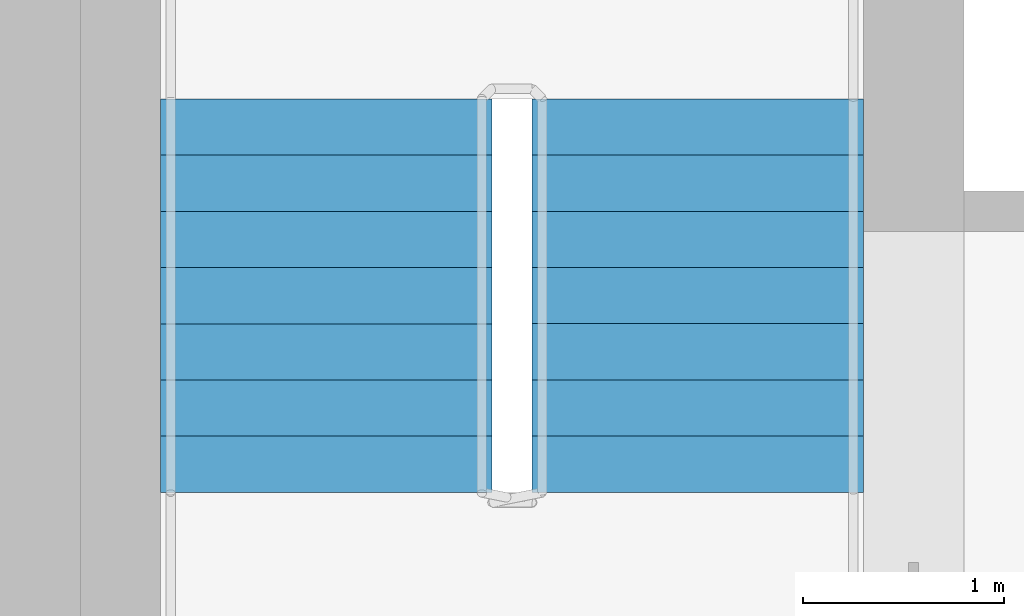
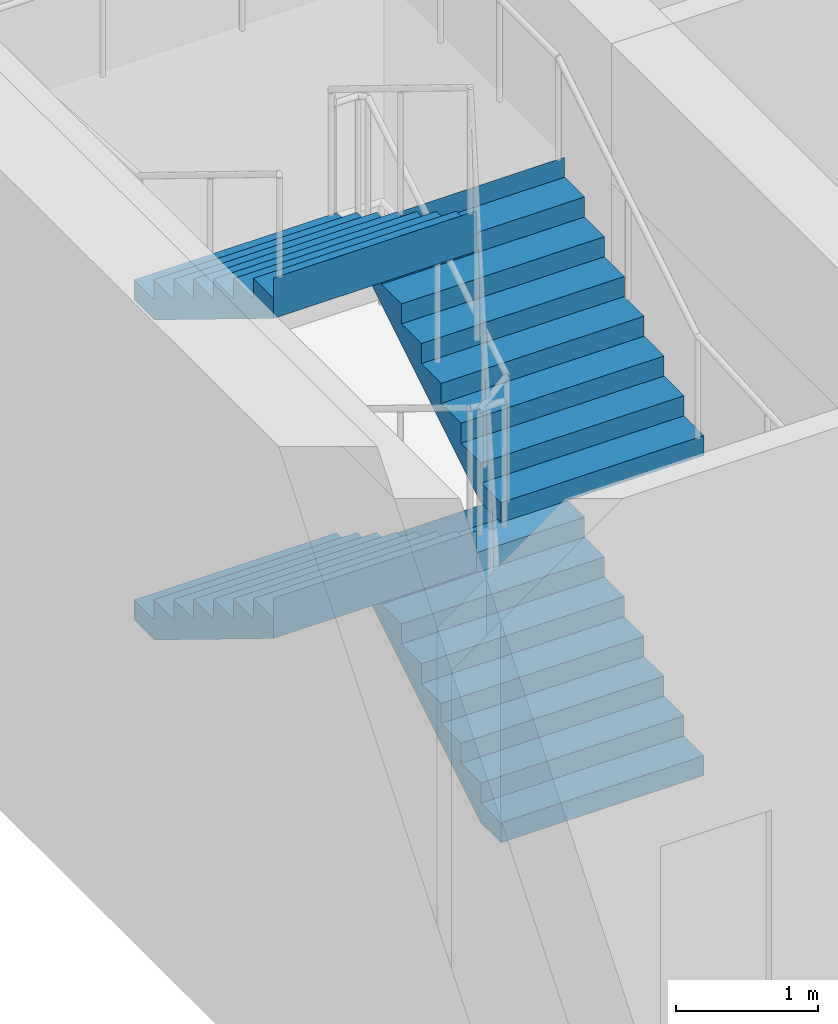
# One storey, part 13 of 15: 4 stair flights, 1 element without a shape of its own.
"""IFC4 building model written with IfcOpenShell, lengths in metres."""

from ifc_helpers import new_model, si_unit, direction, frame, origin, place, context, subcontext, project, spatial, polyline, outline, extrude, material, type_object, element, aggregate, save


model = new_model("IFC4")

# Units and contexts
model_context = context("Model", 3, precision=1e-05, world=origin(), true_north=direction((0.0, 1.0)))
body_context = subcontext(model_context, "Body", "Model", "MODEL_VIEW")
ifc_project = project(units=[si_unit("LENGTHUNIT", "METRE"), si_unit("AREAUNIT", "SQUARE_METRE"), si_unit("VOLUMEUNIT", "CUBIC_METRE"), si_unit("PLANEANGLEUNIT", "RADIAN"), si_unit("MASSUNIT", "GRAM", prefix="KILO")], contexts=[model_context])

# Site, building, storey
site_placement = place(None, origin())
site = spatial("IfcSite", under=ifc_project, at=site_placement, CompositionType="ELEMENT")
building_placement = place(site_placement, origin())
building = spatial("IfcBuilding", under=site, at=building_placement, Name="Tamorin Gate", CompositionType="ELEMENT")
storey_placement = place(building_placement, frame((0.0, 0.0, 292.199951171875)))
storey = spatial("IfcBuildingStorey", under=building, at=storey_placement, Name="L73", CompositionType="ELEMENT", Elevation=292.199951171875)

# Stair, stair flights
ifc_material = material(Name="Concrete C40/50", Category="concrete")
stair_type = type_object("IfcStairType", Name="Exit stair", PredefinedType="HALF_TURN_STAIR", material=ifc_material)
stair_placement = place(storey_placement, origin())
stair = element("IfcStair", 1, at=stair_placement, inside=storey, type_object=stair_type, Name="L73 stair ST2", PredefinedType="HALF_TURN_STAIR")
stair_flight_type = type_object("IfcStairFlightType", Name="Exit stair flight", PredefinedType="STRAIGHT", material=ifc_material)
stair_flight_1_placement = place(storey_placement, frame((33.675048828125, 77.0, 0.0), z_axis=(0.0, 0.0, 1.0), x_axis=(0.0, 1.0, 0.0)))
stair_flight_1 = element("IfcStairFlight", 2, at=stair_flight_1_placement, type_object=stair_flight_type, Name="ST2 flight 1", NumberOfRisers=8, NumberOfTreads=7, PredefinedType="STRAIGHT", RiserHeight=0.171875, TreadLength=0.28, context=body_context, shape_type="SweptSolid", body=[
    extrude(outline(polyline([(-0.00048828125, 0.0), (-0.00048828125, 0.001708984375), (-0.00048828125, 0.00341796875), (-0.00048828125, 0.005126953125), (-0.00048828125, 0.0068359375), (-0.00048828125, 0.008544921875), (-0.00048828125, 0.01025390625), (-0.00048828125, 0.011962890625), (-0.00048828125, 0.013671875), (-0.00048828125, 0.015380859375), (-0.00048828125, 0.01708984375), (-0.00048828125, 0.018798828125), (-0.00048828125, 0.0205078125), (-0.00048828125, 0.022216796875), (-0.00048828125, 0.02392578125), (-0.00048828125, 0.025634765625), (-0.00048828125, 0.02734375), (-0.00048828125, 0.02880859375), (-0.00048828125, 0.030517578125), (-0.00048828125, 0.0322265625), (-0.00048828125, 0.033935546875), (-0.00048828125, 0.03564453125), (-0.00048828125, 0.037353515625), (-0.00048828125, 0.0390625), (-0.00048828125, 0.040771484375), (-0.00048828125, 0.04248046875), (-0.00048828125, 0.044189453125), (-0.00048828125, 0.0458984375), (-0.00048828125, 0.047607421875), (-0.00048828125, 0.04931640625), (-0.00048828125, 0.051025390625), (-0.00048828125, 0.052734375), (-0.00048828125, 0.054443359375), (-0.00048828125, 0.05615234375), (-0.00048828125, 0.057861328125), (-0.00048828125, 0.0595703125), (-0.00048828125, 0.061279296875), (-0.00048828125, 0.06298828125), (-0.00048828125, 0.064697265625), (-0.00048828125, 0.06640625), (-0.00048828125, 0.068115234375), (-0.00048828125, 0.06982421875), (-0.00048828125, 0.071533203125), (-0.00048828125, 0.0732421875), (-0.00048828125, 0.074951171875), (-0.00048828125, 0.07666015625), (-0.00048828125, 0.078369140625), (-0.00048828125, 0.080078125), (-0.00048828125, 0.081787109375), (-0.00048828125, 0.08349609375), (-0.00048828125, 0.085205078125), (-0.00048828125, 0.086669921875), (-0.00048828125, 0.08837890625), (-0.00048828125, 0.090087890625), (-0.00048828125, 0.091796875), (-0.00048828125, 0.093505859375), (-0.00048828125, 0.09521484375), (-0.00048828125, 0.096923828125), (-0.00048828125, 0.0986328125), (-0.00048828125, 0.100341796875), (-0.00048828125, 0.10205078125), (-0.00048828125, 0.103759765625), (-0.00048828125, 0.10546875), (-0.00048828125, 0.107177734375), (-0.00048828125, 0.10888671875), (-0.00048828125, 0.110595703125), (-0.00048828125, 0.1123046875), (-0.00048828125, 0.114013671875), (-0.00048828125, 0.11572265625), (-0.00048828125, 0.117431640625), (-0.00048828125, 0.119140625), (-0.00048828125, 0.120849609375), (-0.00048828125, 0.12255859375), (-0.00048828125, 0.124267578125), (-0.00048828125, 0.1259765625), (-0.00048828125, 0.127685546875), (-0.00048828125, 0.12939453125), (-0.00048828125, 0.131103515625), (-0.00048828125, 0.1328125), (-0.00048828125, 0.134521484375), (-0.00048828125, 0.13623046875), (-0.00048828125, 0.137939453125), (-0.00048828125, 0.1396484375), (-0.00048828125, 0.141357421875), (-0.00048828125, 0.14306640625), (-0.00048828125, 0.14453125), (-0.00048828125, 0.146240234375), (-0.00048828125, 0.14794921875), (-0.00048828125, 0.149658203125), (-0.00048828125, 0.1513671875), (-0.00048828125, 0.153076171875), (-0.00048828125, 0.15478515625), (-0.00048828125, 0.156494140625), (-0.00048828125, 0.158203125), (-0.00048828125, 0.159912109375), (-0.00048828125, 0.16162109375), (-0.00048828125, 0.163330078125), (-0.00048828125, 0.1650390625), (-0.00048828125, 0.166748046875), (-0.00048828125, 0.16845703125), (-0.00048828125, 0.170166015625), (-0.00048828125, 0.171875), (0.280029296875, 0.171875), (0.280029296875, 0.34375), (0.56005859375, 0.34375), (0.56005859375, 0.515625), (0.840087890625, 0.515625), (0.840087890625, 0.6875), (1.1201171875, 0.6875), (1.1201171875, 0.859375), (1.39990234375, 0.859375), (1.39990234375, 1.03125), (1.679931640625, 1.03125), (1.679931640625, 1.203125), (1.9599609375, 1.203125), (1.9599609375, 1.375), (1.96044921875, 1.375), (1.96044921875, 1.37158203125), (1.96044921875, 1.3681640625), (1.96044921875, 1.36474609375), (1.96044921875, 1.361328125), (1.96044921875, 1.357666015625), (1.96044921875, 1.354248046875), (1.96044921875, 1.350830078125), (1.96044921875, 1.347412109375), (1.96044921875, 1.343994140625), (1.96044921875, 1.340576171875), (1.96044921875, 1.337158203125), (1.96044921875, 1.333740234375), (1.96044921875, 1.330322265625), (1.96044921875, 1.326904296875), (1.96044921875, 1.3232421875), (1.96044921875, 1.31982421875), (1.96044921875, 1.31640625), (1.96044921875, 1.31298828125), (1.96044921875, 1.3095703125), (1.96044921875, 1.30615234375), (1.96044921875, 1.302734375), (1.96044921875, 1.29931640625), (1.96044921875, 1.2958984375), (1.96044921875, 1.29248046875), (1.96044921875, 1.288818359375), (1.96044921875, 1.285400390625), (1.96044921875, 1.281982421875), (1.96044921875, 1.278564453125), (1.96044921875, 1.275146484375), (1.96044921875, 1.271728515625), (1.96044921875, 1.268310546875), (1.96044921875, 1.264892578125), (1.96044921875, 1.261474609375), (1.96044921875, 1.2578125), (1.96044921875, 1.25439453125), (1.96044921875, 1.2509765625), (1.96044921875, 1.24755859375), (1.96044921875, 1.244140625), (1.96044921875, 1.24072265625), (1.96044921875, 1.2373046875), (1.96044921875, 1.23388671875), (1.96044921875, 1.23046875), (1.96044921875, 1.22705078125), (1.96044921875, 1.223388671875), (1.96044921875, 1.219970703125), (1.96044921875, 1.216552734375), (1.96044921875, 1.213134765625), (1.96044921875, 1.209716796875), (1.96044921875, 1.206298828125), (1.96044921875, 1.202880859375), (1.96044921875, 1.199462890625), (1.96044921875, 1.196044921875), (1.96044921875, 1.192626953125), (1.96044921875, 1.18896484375), (1.96044921875, 1.185546875), (1.96044921875, 1.18212890625), (1.96044921875, 1.1787109375), (1.96044921875, 1.17529296875), (1.96044921875, 1.171875), (1.96044921875, 1.16845703125), (1.96044921875, 1.1650390625), (1.96044921875, 1.16162109375), (1.96044921875, 1.157958984375), (1.96044921875, 1.154541015625), (1.96044921875, 1.151123046875), (1.96044921875, 1.147705078125), (1.96044921875, 1.144287109375), (1.96044921875, 1.140869140625), (1.96044921875, 1.137451171875), (1.96044921875, 1.134033203125), (1.96044921875, 1.130615234375), (1.96044921875, 1.127197265625), (1.96044921875, 1.12353515625), (1.96044921875, 1.1201171875), (1.96044921875, 1.11669921875), (1.96044921875, 1.11328125), (1.96044921875, 1.10986328125), (1.96044921875, 1.1064453125), (1.96044921875, 1.10302734375), (1.96044921875, 1.099609375), (1.96044921875, 1.09619140625), (1.96044921875, 1.0927734375), (1.96044921875, 1.089111328125), (1.96044921875, 1.085693359375), (1.96044921875, 1.082275390625), (1.96044921875, 1.078857421875), (1.96044921875, 1.075439453125), (1.96044921875, 1.072021484375), (1.96044921875, 1.068603515625), (1.96044921875, 1.065185546875), (1.96044921875, 1.061767578125), (1.96044921875, 1.05810546875), (1.96044921875, 1.0546875), (1.96044921875, 1.05126953125), (1.96044921875, 1.0478515625), (1.96044921875, 1.04443359375), (1.96044921875, 1.041015625), (1.96044921875, 1.03759765625), (1.96044921875, 1.0341796875), (1.96044921875, 1.03076171875), (1.96044921875, 1.02734375), (1.9599609375, 1.02734375), (0.28662109375, 0.0), (-0.00048828125, 0.0)])), frame((0.0, 0.824951171875, 0.0), z_axis=(0.0, -1.0, 0.0), x_axis=(1.0, 0.0, 0.0)), (0.0, 0.0, 1.0), 1.64990234375),
])
stair_flight_2_placement = place(storey_placement, frame((31.824951171875, 78.9599609375, 1.375), z_axis=(0.0, 0.0, 1.0), x_axis=(0.0, -1.0, 0.0)))
stair_flight_2 = element("IfcStairFlight", 3, at=stair_flight_2_placement, type_object=stair_flight_type, Name="ST2 flight 2", NumberOfRisers=8, NumberOfTreads=7, PredefinedType="STRAIGHT", RiserHeight=0.171875, TreadLength=0.28, context=body_context, shape_type="SweptSolid", body=[
    extrude(outline(polyline([(-0.00048828125, 0.0), (-0.00048828125, 0.001708984375), (-0.00048828125, 0.00341796875), (-0.00048828125, 0.005126953125), (-0.00048828125, 0.0068359375), (-0.00048828125, 0.008544921875), (-0.00048828125, 0.01025390625), (-0.00048828125, 0.011962890625), (-0.00048828125, 0.013671875), (-0.00048828125, 0.015380859375), (-0.00048828125, 0.01708984375), (-0.00048828125, 0.018798828125), (-0.00048828125, 0.0205078125), (-0.00048828125, 0.022216796875), (-0.00048828125, 0.02392578125), (-0.00048828125, 0.025634765625), (-0.00048828125, 0.02734375), (-0.00048828125, 0.02880859375), (-0.00048828125, 0.030517578125), (-0.00048828125, 0.0322265625), (-0.00048828125, 0.033935546875), (-0.00048828125, 0.03564453125), (-0.00048828125, 0.037353515625), (-0.00048828125, 0.0390625), (-0.00048828125, 0.040771484375), (-0.00048828125, 0.04248046875), (-0.00048828125, 0.044189453125), (-0.00048828125, 0.0458984375), (-0.00048828125, 0.047607421875), (-0.00048828125, 0.04931640625), (-0.00048828125, 0.051025390625), (-0.00048828125, 0.052734375), (-0.00048828125, 0.054443359375), (-0.00048828125, 0.05615234375), (-0.00048828125, 0.057861328125), (-0.00048828125, 0.0595703125), (-0.00048828125, 0.061279296875), (-0.00048828125, 0.06298828125), (-0.00048828125, 0.064697265625), (-0.00048828125, 0.06640625), (-0.00048828125, 0.068115234375), (-0.00048828125, 0.06982421875), (-0.00048828125, 0.071533203125), (-0.00048828125, 0.0732421875), (-0.00048828125, 0.074951171875), (-0.00048828125, 0.07666015625), (-0.00048828125, 0.078369140625), (-0.00048828125, 0.080078125), (-0.00048828125, 0.081787109375), (-0.00048828125, 0.08349609375), (-0.00048828125, 0.085205078125), (-0.00048828125, 0.086669921875), (-0.00048828125, 0.08837890625), (-0.00048828125, 0.090087890625), (-0.00048828125, 0.091796875), (-0.00048828125, 0.093505859375), (-0.00048828125, 0.09521484375), (-0.00048828125, 0.096923828125), (-0.00048828125, 0.0986328125), (-0.00048828125, 0.100341796875), (-0.00048828125, 0.10205078125), (-0.00048828125, 0.103759765625), (-0.00048828125, 0.10546875), (-0.00048828125, 0.107177734375), (-0.00048828125, 0.10888671875), (-0.00048828125, 0.110595703125), (-0.00048828125, 0.1123046875), (-0.00048828125, 0.114013671875), (-0.00048828125, 0.11572265625), (-0.00048828125, 0.117431640625), (-0.00048828125, 0.119140625), (-0.00048828125, 0.120849609375), (-0.00048828125, 0.12255859375), (-0.00048828125, 0.124267578125), (-0.00048828125, 0.1259765625), (-0.00048828125, 0.127685546875), (-0.00048828125, 0.12939453125), (-0.00048828125, 0.131103515625), (-0.00048828125, 0.1328125), (-0.00048828125, 0.134521484375), (-0.00048828125, 0.13623046875), (-0.00048828125, 0.137939453125), (-0.00048828125, 0.1396484375), (-0.00048828125, 0.141357421875), (-0.00048828125, 0.14306640625), (-0.00048828125, 0.14453125), (-0.00048828125, 0.146240234375), (-0.00048828125, 0.14794921875), (-0.00048828125, 0.149658203125), (-0.00048828125, 0.1513671875), (-0.00048828125, 0.153076171875), (-0.00048828125, 0.15478515625), (-0.00048828125, 0.156494140625), (-0.00048828125, 0.158203125), (-0.00048828125, 0.159912109375), (-0.00048828125, 0.16162109375), (-0.00048828125, 0.163330078125), (-0.00048828125, 0.1650390625), (-0.00048828125, 0.166748046875), (-0.00048828125, 0.16845703125), (-0.00048828125, 0.170166015625), (-0.00048828125, 0.171875), (0.280029296875, 0.171875), (0.280029296875, 0.34375), (0.56005859375, 0.34375), (0.56005859375, 0.515625), (0.840087890625, 0.515625), (0.840087890625, 0.6875), (1.1201171875, 0.6875), (1.1201171875, 0.859375), (1.39990234375, 0.859375), (1.39990234375, 1.03125), (1.679931640625, 1.03125), (1.679931640625, 1.203125), (1.9599609375, 1.203125), (1.9599609375, 1.375), (1.96044921875, 1.375), (1.96044921875, 1.37158203125), (1.96044921875, 1.3681640625), (1.96044921875, 1.36474609375), (1.96044921875, 1.361328125), (1.96044921875, 1.357666015625), (1.96044921875, 1.354248046875), (1.96044921875, 1.350830078125), (1.96044921875, 1.347412109375), (1.96044921875, 1.343994140625), (1.96044921875, 1.340576171875), (1.96044921875, 1.337158203125), (1.96044921875, 1.333740234375), (1.96044921875, 1.330322265625), (1.96044921875, 1.326904296875), (1.96044921875, 1.3232421875), (1.96044921875, 1.31982421875), (1.96044921875, 1.31640625), (1.96044921875, 1.31298828125), (1.96044921875, 1.3095703125), (1.96044921875, 1.30615234375), (1.96044921875, 1.302734375), (1.96044921875, 1.29931640625), (1.96044921875, 1.2958984375), (1.96044921875, 1.29248046875), (1.96044921875, 1.288818359375), (1.96044921875, 1.285400390625), (1.96044921875, 1.281982421875), (1.96044921875, 1.278564453125), (1.96044921875, 1.275146484375), (1.96044921875, 1.271728515625), (1.96044921875, 1.268310546875), (1.96044921875, 1.264892578125), (1.96044921875, 1.261474609375), (1.96044921875, 1.2578125), (1.96044921875, 1.25439453125), (1.96044921875, 1.2509765625), (1.96044921875, 1.24755859375), (1.96044921875, 1.244140625), (1.96044921875, 1.24072265625), (1.96044921875, 1.2373046875), (1.96044921875, 1.23388671875), (1.96044921875, 1.23046875), (1.96044921875, 1.22705078125), (1.96044921875, 1.223388671875), (1.96044921875, 1.219970703125), (1.96044921875, 1.216552734375), (1.96044921875, 1.213134765625), (1.96044921875, 1.209716796875), (1.96044921875, 1.206298828125), (1.96044921875, 1.202880859375), (1.96044921875, 1.199462890625), (1.96044921875, 1.196044921875), (1.96044921875, 1.192626953125), (1.96044921875, 1.18896484375), (1.96044921875, 1.185546875), (1.96044921875, 1.18212890625), (1.96044921875, 1.1787109375), (1.96044921875, 1.17529296875), (1.96044921875, 1.171875), (1.96044921875, 1.16845703125), (1.96044921875, 1.1650390625), (1.96044921875, 1.16162109375), (1.96044921875, 1.157958984375), (1.96044921875, 1.154541015625), (1.96044921875, 1.151123046875), (1.96044921875, 1.147705078125), (1.96044921875, 1.144287109375), (1.96044921875, 1.140869140625), (1.96044921875, 1.137451171875), (1.96044921875, 1.134033203125), (1.96044921875, 1.130615234375), (1.96044921875, 1.127197265625), (1.96044921875, 1.12353515625), (1.96044921875, 1.1201171875), (1.96044921875, 1.11669921875), (1.96044921875, 1.11328125), (1.96044921875, 1.10986328125), (1.96044921875, 1.1064453125), (1.96044921875, 1.10302734375), (1.96044921875, 1.099609375), (1.96044921875, 1.09619140625), (1.96044921875, 1.0927734375), (1.96044921875, 1.089111328125), (1.96044921875, 1.085693359375), (1.96044921875, 1.082275390625), (1.96044921875, 1.078857421875), (1.96044921875, 1.075439453125), (1.96044921875, 1.072021484375), (1.96044921875, 1.068603515625), (1.96044921875, 1.065185546875), (1.96044921875, 1.061767578125), (1.96044921875, 1.05810546875), (1.96044921875, 1.0546875), (1.96044921875, 1.05126953125), (1.96044921875, 1.0478515625), (1.96044921875, 1.04443359375), (1.96044921875, 1.041015625), (1.96044921875, 1.03759765625), (1.96044921875, 1.0341796875), (1.96044921875, 1.03076171875), (1.96044921875, 1.02734375), (1.9599609375, 1.02734375), (0.28662109375, 0.0), (-0.00048828125, 0.0)])), frame((0.0, 0.824951171875, 0.0), z_axis=(0.0, -1.0, 0.0), x_axis=(1.0, 0.0, 0.0)), (0.0, 0.0, 1.0), 1.64990234375),
])
stair_flight_3_placement = place(storey_placement, frame((33.675048828125, 77.0, 2.75), z_axis=(0.0, 0.0, 1.0), x_axis=(0.0, 1.0, 0.0)))
stair_flight_3 = element("IfcStairFlight", 4, at=stair_flight_3_placement, type_object=stair_flight_type, Name="ST2 flight 3", NumberOfRisers=8, NumberOfTreads=7, PredefinedType="STRAIGHT", RiserHeight=0.171875, TreadLength=0.28, context=body_context, shape_type="SweptSolid", body=[
    extrude(outline(polyline([(-0.00048828125, 0.0), (-0.00048828125, 0.001708984375), (-0.00048828125, 0.00341796875), (-0.00048828125, 0.005126953125), (-0.00048828125, 0.0068359375), (-0.00048828125, 0.008544921875), (-0.00048828125, 0.01025390625), (-0.00048828125, 0.011962890625), (-0.00048828125, 0.013671875), (-0.00048828125, 0.015380859375), (-0.00048828125, 0.01708984375), (-0.00048828125, 0.018798828125), (-0.00048828125, 0.0205078125), (-0.00048828125, 0.022216796875), (-0.00048828125, 0.02392578125), (-0.00048828125, 0.025634765625), (-0.00048828125, 0.02734375), (-0.00048828125, 0.02880859375), (-0.00048828125, 0.030517578125), (-0.00048828125, 0.0322265625), (-0.00048828125, 0.033935546875), (-0.00048828125, 0.03564453125), (-0.00048828125, 0.037353515625), (-0.00048828125, 0.0390625), (-0.00048828125, 0.040771484375), (-0.00048828125, 0.04248046875), (-0.00048828125, 0.044189453125), (-0.00048828125, 0.0458984375), (-0.00048828125, 0.047607421875), (-0.00048828125, 0.04931640625), (-0.00048828125, 0.051025390625), (-0.00048828125, 0.052734375), (-0.00048828125, 0.054443359375), (-0.00048828125, 0.05615234375), (-0.00048828125, 0.057861328125), (-0.00048828125, 0.0595703125), (-0.00048828125, 0.061279296875), (-0.00048828125, 0.06298828125), (-0.00048828125, 0.064697265625), (-0.00048828125, 0.06640625), (-0.00048828125, 0.068115234375), (-0.00048828125, 0.06982421875), (-0.00048828125, 0.071533203125), (-0.00048828125, 0.0732421875), (-0.00048828125, 0.074951171875), (-0.00048828125, 0.07666015625), (-0.00048828125, 0.078369140625), (-0.00048828125, 0.080078125), (-0.00048828125, 0.081787109375), (-0.00048828125, 0.08349609375), (-0.00048828125, 0.085205078125), (-0.00048828125, 0.086669921875), (-0.00048828125, 0.08837890625), (-0.00048828125, 0.090087890625), (-0.00048828125, 0.091796875), (-0.00048828125, 0.093505859375), (-0.00048828125, 0.09521484375), (-0.00048828125, 0.096923828125), (-0.00048828125, 0.0986328125), (-0.00048828125, 0.100341796875), (-0.00048828125, 0.10205078125), (-0.00048828125, 0.103759765625), (-0.00048828125, 0.10546875), (-0.00048828125, 0.107177734375), (-0.00048828125, 0.10888671875), (-0.00048828125, 0.110595703125), (-0.00048828125, 0.1123046875), (-0.00048828125, 0.114013671875), (-0.00048828125, 0.11572265625), (-0.00048828125, 0.117431640625), (-0.00048828125, 0.119140625), (-0.00048828125, 0.120849609375), (-0.00048828125, 0.12255859375), (-0.00048828125, 0.124267578125), (-0.00048828125, 0.1259765625), (-0.00048828125, 0.127685546875), (-0.00048828125, 0.12939453125), (-0.00048828125, 0.131103515625), (-0.00048828125, 0.1328125), (-0.00048828125, 0.134521484375), (-0.00048828125, 0.13623046875), (-0.00048828125, 0.137939453125), (-0.00048828125, 0.1396484375), (-0.00048828125, 0.141357421875), (-0.00048828125, 0.14306640625), (-0.00048828125, 0.14453125), (-0.00048828125, 0.146240234375), (-0.00048828125, 0.14794921875), (-0.00048828125, 0.149658203125), (-0.00048828125, 0.1513671875), (-0.00048828125, 0.153076171875), (-0.00048828125, 0.15478515625), (-0.00048828125, 0.156494140625), (-0.00048828125, 0.158203125), (-0.00048828125, 0.159912109375), (-0.00048828125, 0.16162109375), (-0.00048828125, 0.163330078125), (-0.00048828125, 0.1650390625), (-0.00048828125, 0.166748046875), (-0.00048828125, 0.16845703125), (-0.00048828125, 0.170166015625), (-0.00048828125, 0.171875), (0.280029296875, 0.171875), (0.280029296875, 0.34375), (0.56005859375, 0.34375), (0.56005859375, 0.515625), (0.840087890625, 0.515625), (0.840087890625, 0.6875), (1.1201171875, 0.6875), (1.1201171875, 0.859375), (1.39990234375, 0.859375), (1.39990234375, 1.03125), (1.679931640625, 1.03125), (1.679931640625, 1.203125), (1.9599609375, 1.203125), (1.9599609375, 1.375), (1.96044921875, 1.375), (1.96044921875, 1.37158203125), (1.96044921875, 1.3681640625), (1.96044921875, 1.36474609375), (1.96044921875, 1.361328125), (1.96044921875, 1.357666015625), (1.96044921875, 1.354248046875), (1.96044921875, 1.350830078125), (1.96044921875, 1.347412109375), (1.96044921875, 1.343994140625), (1.96044921875, 1.340576171875), (1.96044921875, 1.337158203125), (1.96044921875, 1.333740234375), (1.96044921875, 1.330322265625), (1.96044921875, 1.326904296875), (1.96044921875, 1.3232421875), (1.96044921875, 1.31982421875), (1.96044921875, 1.31640625), (1.96044921875, 1.31298828125), (1.96044921875, 1.3095703125), (1.96044921875, 1.30615234375), (1.96044921875, 1.302734375), (1.96044921875, 1.29931640625), (1.96044921875, 1.2958984375), (1.96044921875, 1.29248046875), (1.96044921875, 1.288818359375), (1.96044921875, 1.285400390625), (1.96044921875, 1.281982421875), (1.96044921875, 1.278564453125), (1.96044921875, 1.275146484375), (1.96044921875, 1.271728515625), (1.96044921875, 1.268310546875), (1.96044921875, 1.264892578125), (1.96044921875, 1.261474609375), (1.96044921875, 1.2578125), (1.96044921875, 1.25439453125), (1.96044921875, 1.2509765625), (1.96044921875, 1.24755859375), (1.96044921875, 1.244140625), (1.96044921875, 1.24072265625), (1.96044921875, 1.2373046875), (1.96044921875, 1.23388671875), (1.96044921875, 1.23046875), (1.96044921875, 1.22705078125), (1.96044921875, 1.223388671875), (1.96044921875, 1.219970703125), (1.96044921875, 1.216552734375), (1.96044921875, 1.213134765625), (1.96044921875, 1.209716796875), (1.96044921875, 1.206298828125), (1.96044921875, 1.202880859375), (1.96044921875, 1.199462890625), (1.96044921875, 1.196044921875), (1.96044921875, 1.192626953125), (1.96044921875, 1.18896484375), (1.96044921875, 1.185546875), (1.96044921875, 1.18212890625), (1.96044921875, 1.1787109375), (1.96044921875, 1.17529296875), (1.96044921875, 1.171875), (1.96044921875, 1.16845703125), (1.96044921875, 1.1650390625), (1.96044921875, 1.16162109375), (1.96044921875, 1.157958984375), (1.96044921875, 1.154541015625), (1.96044921875, 1.151123046875), (1.96044921875, 1.147705078125), (1.96044921875, 1.144287109375), (1.96044921875, 1.140869140625), (1.96044921875, 1.137451171875), (1.96044921875, 1.134033203125), (1.96044921875, 1.130615234375), (1.96044921875, 1.127197265625), (1.96044921875, 1.12353515625), (1.96044921875, 1.1201171875), (1.96044921875, 1.11669921875), (1.96044921875, 1.11328125), (1.96044921875, 1.10986328125), (1.96044921875, 1.1064453125), (1.96044921875, 1.10302734375), (1.96044921875, 1.099609375), (1.96044921875, 1.09619140625), (1.96044921875, 1.0927734375), (1.96044921875, 1.089111328125), (1.96044921875, 1.085693359375), (1.96044921875, 1.082275390625), (1.96044921875, 1.078857421875), (1.96044921875, 1.075439453125), (1.96044921875, 1.072021484375), (1.96044921875, 1.068603515625), (1.96044921875, 1.065185546875), (1.96044921875, 1.061767578125), (1.96044921875, 1.05810546875), (1.96044921875, 1.0546875), (1.96044921875, 1.05126953125), (1.96044921875, 1.0478515625), (1.96044921875, 1.04443359375), (1.96044921875, 1.041015625), (1.96044921875, 1.03759765625), (1.96044921875, 1.0341796875), (1.96044921875, 1.03076171875), (1.96044921875, 1.02734375), (1.9599609375, 1.02734375), (0.28662109375, 0.0), (-0.00048828125, 0.0)])), frame((0.0, 0.824951171875, 0.0), z_axis=(0.0, -1.0, 0.0), x_axis=(1.0, 0.0, 0.0)), (0.0, 0.0, 1.0), 1.64990234375),
])
stair_flight_4_placement = place(storey_placement, frame((31.824951171875, 78.9599609375, 4.125), z_axis=(0.0, 0.0, 1.0), x_axis=(0.0, -1.0, 0.0)))
stair_flight_4 = element("IfcStairFlight", 5, at=stair_flight_4_placement, type_object=stair_flight_type, Name="ST2 flight 4", NumberOfRisers=8, NumberOfTreads=7, PredefinedType="STRAIGHT", RiserHeight=0.171875, TreadLength=0.28, context=body_context, shape_type="SweptSolid", body=[
    extrude(outline(polyline([(-0.00048828125, 0.0), (-0.00048828125, 0.001708984375), (-0.00048828125, 0.00341796875), (-0.00048828125, 0.005126953125), (-0.00048828125, 0.0068359375), (-0.00048828125, 0.008544921875), (-0.00048828125, 0.01025390625), (-0.00048828125, 0.011962890625), (-0.00048828125, 0.013671875), (-0.00048828125, 0.015380859375), (-0.00048828125, 0.01708984375), (-0.00048828125, 0.018798828125), (-0.00048828125, 0.0205078125), (-0.00048828125, 0.022216796875), (-0.00048828125, 0.02392578125), (-0.00048828125, 0.025634765625), (-0.00048828125, 0.02734375), (-0.00048828125, 0.02880859375), (-0.00048828125, 0.030517578125), (-0.00048828125, 0.0322265625), (-0.00048828125, 0.033935546875), (-0.00048828125, 0.03564453125), (-0.00048828125, 0.037353515625), (-0.00048828125, 0.0390625), (-0.00048828125, 0.040771484375), (-0.00048828125, 0.04248046875), (-0.00048828125, 0.044189453125), (-0.00048828125, 0.0458984375), (-0.00048828125, 0.047607421875), (-0.00048828125, 0.04931640625), (-0.00048828125, 0.051025390625), (-0.00048828125, 0.052734375), (-0.00048828125, 0.054443359375), (-0.00048828125, 0.05615234375), (-0.00048828125, 0.057861328125), (-0.00048828125, 0.0595703125), (-0.00048828125, 0.061279296875), (-0.00048828125, 0.06298828125), (-0.00048828125, 0.064697265625), (-0.00048828125, 0.06640625), (-0.00048828125, 0.068115234375), (-0.00048828125, 0.06982421875), (-0.00048828125, 0.071533203125), (-0.00048828125, 0.0732421875), (-0.00048828125, 0.074951171875), (-0.00048828125, 0.07666015625), (-0.00048828125, 0.078369140625), (-0.00048828125, 0.080078125), (-0.00048828125, 0.081787109375), (-0.00048828125, 0.08349609375), (-0.00048828125, 0.085205078125), (-0.00048828125, 0.086669921875), (-0.00048828125, 0.08837890625), (-0.00048828125, 0.090087890625), (-0.00048828125, 0.091796875), (-0.00048828125, 0.093505859375), (-0.00048828125, 0.09521484375), (-0.00048828125, 0.096923828125), (-0.00048828125, 0.0986328125), (-0.00048828125, 0.100341796875), (-0.00048828125, 0.10205078125), (-0.00048828125, 0.103759765625), (-0.00048828125, 0.10546875), (-0.00048828125, 0.107177734375), (-0.00048828125, 0.10888671875), (-0.00048828125, 0.110595703125), (-0.00048828125, 0.1123046875), (-0.00048828125, 0.114013671875), (-0.00048828125, 0.11572265625), (-0.00048828125, 0.117431640625), (-0.00048828125, 0.119140625), (-0.00048828125, 0.120849609375), (-0.00048828125, 0.12255859375), (-0.00048828125, 0.124267578125), (-0.00048828125, 0.1259765625), (-0.00048828125, 0.127685546875), (-0.00048828125, 0.12939453125), (-0.00048828125, 0.131103515625), (-0.00048828125, 0.1328125), (-0.00048828125, 0.134521484375), (-0.00048828125, 0.13623046875), (-0.00048828125, 0.137939453125), (-0.00048828125, 0.1396484375), (-0.00048828125, 0.141357421875), (-0.00048828125, 0.14306640625), (-0.00048828125, 0.14453125), (-0.00048828125, 0.146240234375), (-0.00048828125, 0.14794921875), (-0.00048828125, 0.149658203125), (-0.00048828125, 0.1513671875), (-0.00048828125, 0.153076171875), (-0.00048828125, 0.15478515625), (-0.00048828125, 0.156494140625), (-0.00048828125, 0.158203125), (-0.00048828125, 0.159912109375), (-0.00048828125, 0.16162109375), (-0.00048828125, 0.163330078125), (-0.00048828125, 0.1650390625), (-0.00048828125, 0.166748046875), (-0.00048828125, 0.16845703125), (-0.00048828125, 0.170166015625), (-0.00048828125, 0.171875), (0.280029296875, 0.171875), (0.280029296875, 0.34375), (0.56005859375, 0.34375), (0.56005859375, 0.515625), (0.840087890625, 0.515625), (0.840087890625, 0.6875), (1.1201171875, 0.6875), (1.1201171875, 0.859375), (1.39990234375, 0.859375), (1.39990234375, 1.03125), (1.679931640625, 1.03125), (1.679931640625, 1.203125), (1.9599609375, 1.203125), (1.9599609375, 1.375), (1.96044921875, 1.375), (1.96044921875, 1.37158203125), (1.96044921875, 1.3681640625), (1.96044921875, 1.36474609375), (1.96044921875, 1.361328125), (1.96044921875, 1.357666015625), (1.96044921875, 1.354248046875), (1.96044921875, 1.350830078125), (1.96044921875, 1.347412109375), (1.96044921875, 1.343994140625), (1.96044921875, 1.340576171875), (1.96044921875, 1.337158203125), (1.96044921875, 1.333740234375), (1.96044921875, 1.330322265625), (1.96044921875, 1.326904296875), (1.96044921875, 1.3232421875), (1.96044921875, 1.31982421875), (1.96044921875, 1.31640625), (1.96044921875, 1.31298828125), (1.96044921875, 1.3095703125), (1.96044921875, 1.30615234375), (1.96044921875, 1.302734375), (1.96044921875, 1.29931640625), (1.96044921875, 1.2958984375), (1.96044921875, 1.29248046875), (1.96044921875, 1.288818359375), (1.96044921875, 1.285400390625), (1.96044921875, 1.281982421875), (1.96044921875, 1.278564453125), (1.96044921875, 1.275146484375), (1.96044921875, 1.271728515625), (1.96044921875, 1.268310546875), (1.96044921875, 1.264892578125), (1.96044921875, 1.261474609375), (1.96044921875, 1.2578125), (1.96044921875, 1.25439453125), (1.96044921875, 1.2509765625), (1.96044921875, 1.24755859375), (1.96044921875, 1.244140625), (1.96044921875, 1.24072265625), (1.96044921875, 1.2373046875), (1.96044921875, 1.23388671875), (1.96044921875, 1.23046875), (1.96044921875, 1.22705078125), (1.96044921875, 1.223388671875), (1.96044921875, 1.219970703125), (1.96044921875, 1.216552734375), (1.96044921875, 1.213134765625), (1.96044921875, 1.209716796875), (1.96044921875, 1.206298828125), (1.96044921875, 1.202880859375), (1.96044921875, 1.199462890625), (1.96044921875, 1.196044921875), (1.96044921875, 1.192626953125), (1.96044921875, 1.18896484375), (1.96044921875, 1.185546875), (1.96044921875, 1.18212890625), (1.96044921875, 1.1787109375), (1.96044921875, 1.17529296875), (1.96044921875, 1.171875), (1.96044921875, 1.16845703125), (1.96044921875, 1.1650390625), (1.96044921875, 1.16162109375), (1.96044921875, 1.157958984375), (1.96044921875, 1.154541015625), (1.96044921875, 1.151123046875), (1.96044921875, 1.147705078125), (1.96044921875, 1.144287109375), (1.96044921875, 1.140869140625), (1.96044921875, 1.137451171875), (1.96044921875, 1.134033203125), (1.96044921875, 1.130615234375), (1.96044921875, 1.127197265625), (1.96044921875, 1.12353515625), (1.96044921875, 1.1201171875), (1.96044921875, 1.11669921875), (1.96044921875, 1.11328125), (1.96044921875, 1.10986328125), (1.96044921875, 1.1064453125), (1.96044921875, 1.10302734375), (1.96044921875, 1.099609375), (1.96044921875, 1.09619140625), (1.96044921875, 1.0927734375), (1.96044921875, 1.089111328125), (1.96044921875, 1.085693359375), (1.96044921875, 1.082275390625), (1.96044921875, 1.078857421875), (1.96044921875, 1.075439453125), (1.96044921875, 1.072021484375), (1.96044921875, 1.068603515625), (1.96044921875, 1.065185546875), (1.96044921875, 1.061767578125), (1.96044921875, 1.05810546875), (1.96044921875, 1.0546875), (1.96044921875, 1.05126953125), (1.96044921875, 1.0478515625), (1.96044921875, 1.04443359375), (1.96044921875, 1.041015625), (1.96044921875, 1.03759765625), (1.96044921875, 1.0341796875), (1.96044921875, 1.03076171875), (1.96044921875, 1.02734375), (1.9599609375, 1.02734375), (0.28662109375, 0.0), (-0.00048828125, 0.0)])), frame((0.0, 0.824951171875, 0.0), z_axis=(0.0, -1.0, 0.0), x_axis=(1.0, 0.0, 0.0)), (0.0, 0.0, 1.0), 1.64990234375),
])
aggregate(stair, [stair_flight_1, stair_flight_2, stair_flight_3, stair_flight_4])

save(model, "model.ifc")
